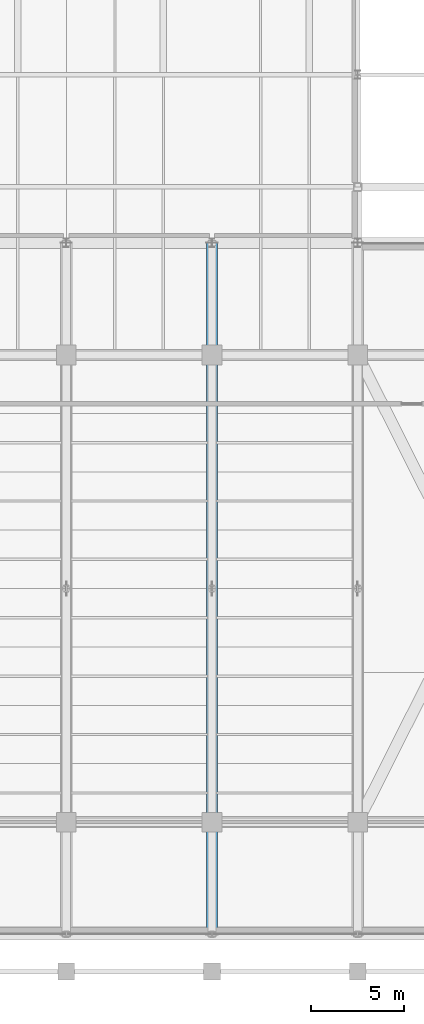
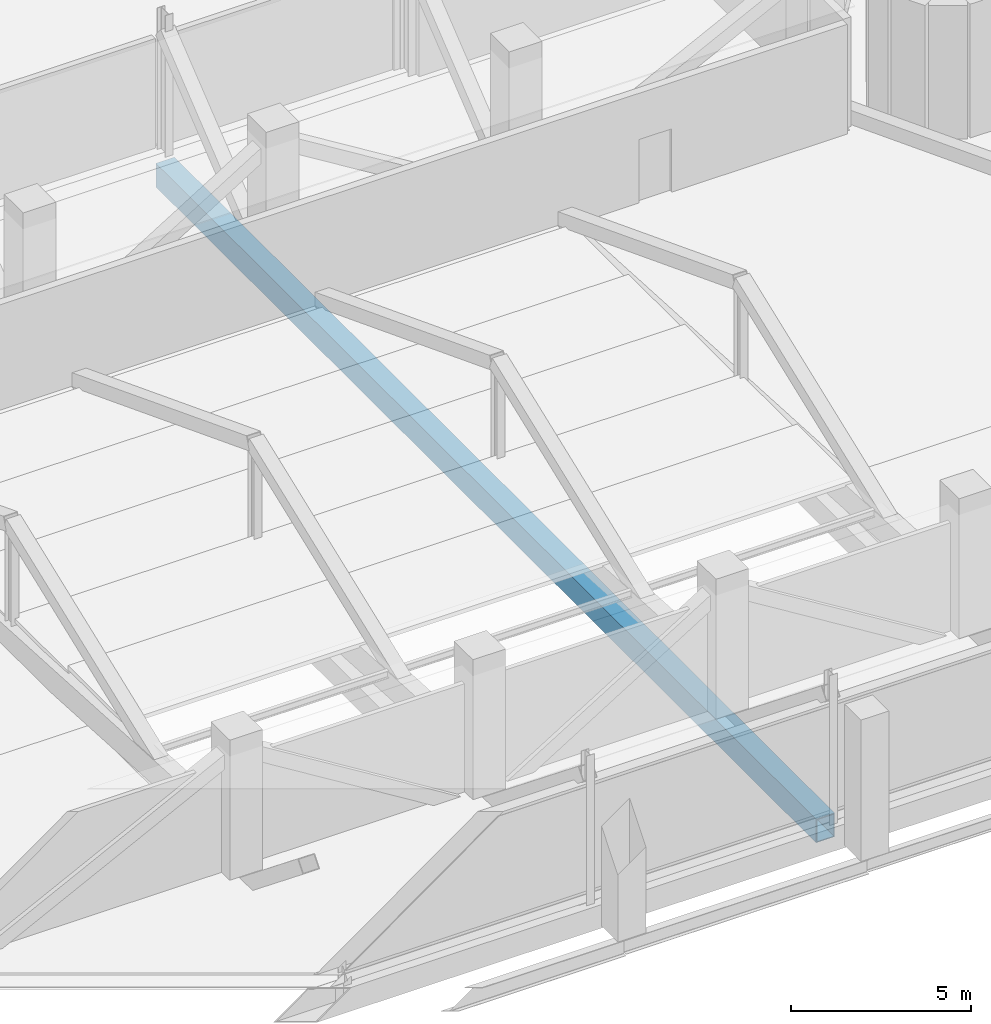
# One storey, part 47 of 127: 1 beam.
"""IFC4 building model written with IfcOpenShell, lengths in metres."""

from ifc_helpers import new_model, si_unit, derived_unit, direction, frame, origin, origin_2d, place, context, subcontext, project, spatial, hollow_rectangle, extrude, material, material_profile, profile_set, type_object, element, save


model = new_model("IFC4")

# Units and contexts
model_context = context("Model", 3, precision=1e-05, world=origin(), true_north=direction((0.0, 1.0)))
body_context = subcontext(model_context, "Body", "Model", "MODEL_VIEW")
ifc_project = project(units=[si_unit("LENGTHUNIT", "METRE"), si_unit("AREAUNIT", "SQUARE_METRE"), si_unit("VOLUMEUNIT", "CUBIC_METRE"), si_unit("PLANEANGLEUNIT", "RADIAN"), si_unit("MASSUNIT", "GRAM", prefix="KILO"), derived_unit("THERMALTRANSMITTANCEUNIT", [(si_unit("POWERUNIT", "WATT"), 1), (si_unit("LENGTHUNIT", "METRE"), -2), (si_unit("THERMODYNAMICTEMPERATUREUNIT", "KELVIN"), -1)])], contexts=[model_context])

# Site, building, storey
site_placement = place(None, origin())
site = spatial("IfcSite", under=ifc_project, at=site_placement, CompositionType="ELEMENT")
building_placement = place(site_placement, origin())
building = spatial("IfcBuilding", under=site, at=building_placement, Name="Nallur Shell Playhouse", CompositionType="ELEMENT")
storey_placement = place(building_placement, frame((0.0, 0.0, 5.39990234375)))
storey = spatial("IfcBuildingStorey", under=building, at=storey_placement, Name="L02", CompositionType="ELEMENT", Elevation=5.39990234375)

# Beam
ifc_material = material(Name="Steel E350", Category="steel")
ifc_material_profile = material_profile(ifc_material, hollow_rectangle(XDim=0.60009765625, YDim=0.800048828125, WallThickness=0.02490234375, at=origin_2d()), Name="BOX 600x800x25")
ifc_profile_set = profile_set([ifc_material_profile], Name="Steel E350")
beam_type = type_object("IfcBeamType", Name="BM-TT-CHORD", PredefinedType="BEAM", material=ifc_profile_set)
beam_placement = place(storey_placement, frame((95.199951171875, 10.298095703125, -0.679931640625), z_axis=(0.0, 1.0, 0.0), x_axis=(-1.0, 0.0, 0.0)))
element("IfcBeam", 1, at=beam_placement, inside=storey, type_object=beam_type, Name="Transfer truss TT-6 bottom chord 1", PredefinedType="BEAM", context=body_context, shape_type="SweptSolid", body=[
    extrude(hollow_rectangle(XDim=0.60009765625, YDim=0.800048828125, WallThickness=0.02490234375, at=origin_2d()), origin(), (0.0, 0.0, 1.0), 36.701904296875),
])

save(model, "model.ifc")
